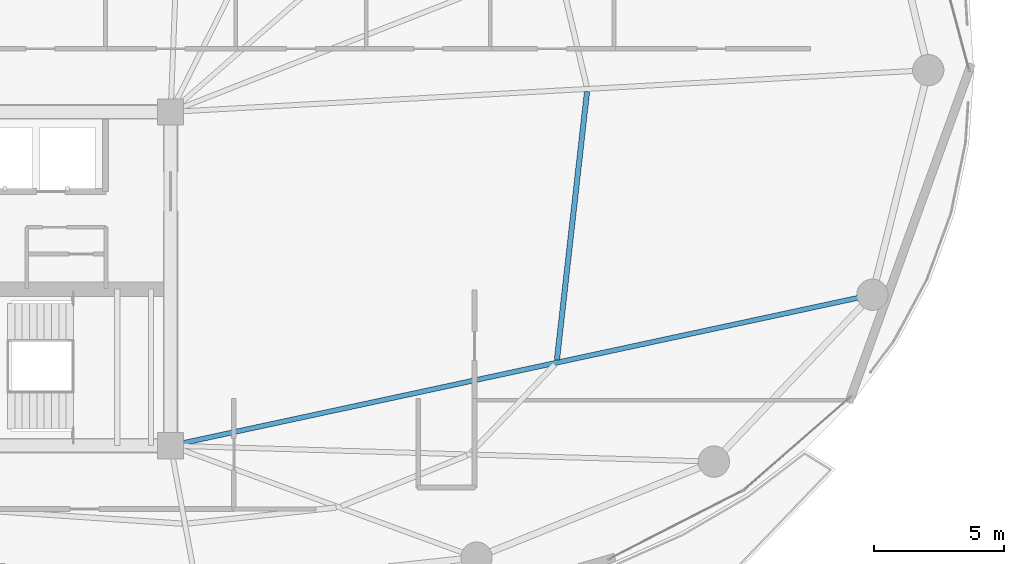
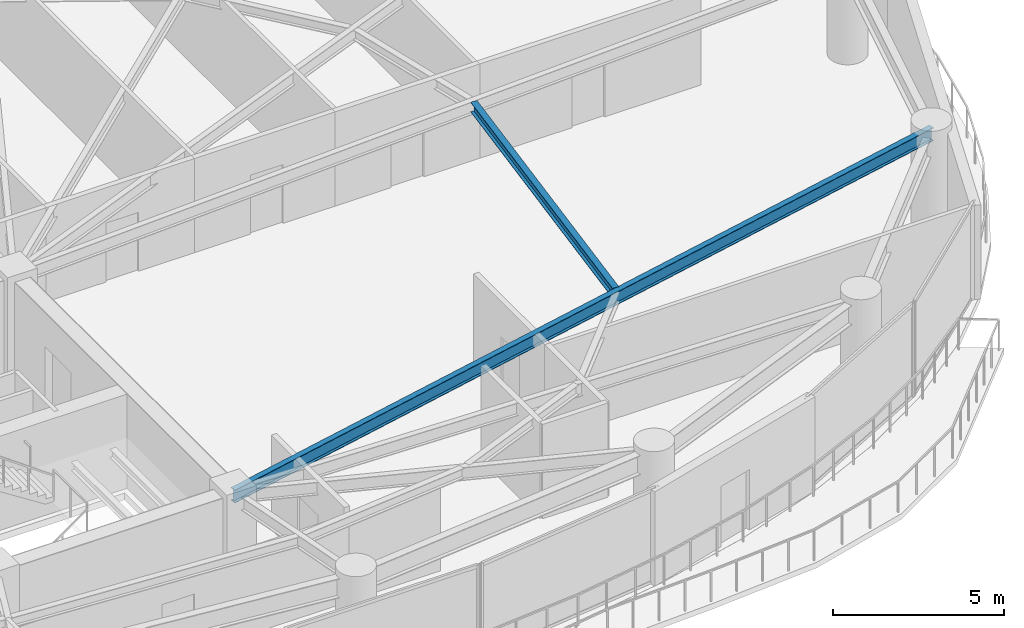
# One storey, part 12 of 28: 2 beams.
"""IFC4 building model written with IfcOpenShell, lengths in metres."""

from ifc_helpers import new_model, si_unit, direction, frame, origin, origin_2d, place, context, subcontext, project, spatial, i_section, extrude, material, material_profile, profile_set, type_object, element, save


model = new_model("IFC4")

# Units and contexts
model_context = context("Model", 3, precision=1e-05, world=origin(), true_north=direction((0.0, 1.0)))
body_context = subcontext(model_context, "Body", "Model", "MODEL_VIEW")
ifc_project = project(units=[si_unit("LENGTHUNIT", "METRE"), si_unit("AREAUNIT", "SQUARE_METRE"), si_unit("VOLUMEUNIT", "CUBIC_METRE"), si_unit("PLANEANGLEUNIT", "RADIAN"), si_unit("MASSUNIT", "GRAM", prefix="KILO")], contexts=[model_context])

# Site, building, storey
site_placement = place(None, origin())
site = spatial("IfcSite", under=ifc_project, at=site_placement, CompositionType="ELEMENT")
building_placement = place(site_placement, origin())
building = spatial("IfcBuilding", under=site, at=building_placement, Name="Kazevale Care Tower and Concert Hall", CompositionType="ELEMENT")
storey_placement = place(building_placement, frame((0.0, 0.0, 135.0)))
storey = spatial("IfcBuildingStorey", under=building, at=storey_placement, Name="L35", CompositionType="ELEMENT", Elevation=135.0)

# Beams
ifc_material = material(Name="Steel ASTM A572 Gr 50", Category="steel")
ifc_material_profile_1 = material_profile(ifc_material, i_section(OverallWidth=0.19091796875, OverallDepth=0.4599609375, WebThickness=0.010009765625, FlangeThickness=0.01611328125, at=origin_2d()), Name="W460x82")
ifc_profile_set_1 = profile_set([ifc_material_profile_1], Name="Steel ASTM A572 Gr 50")
beam_type_1 = type_object("IfcBeamType", Name="Radial Floor Beam W460x82", PredefinedType="BEAM", material=ifc_profile_set_1)
beam_1_placement = place(storey_placement, frame((44.0, 23.60009765625, 3.1298828125), z_axis=(0.97762801725, 0.210341293823, 0.0), x_axis=(-0.210341293823, 0.97762801725, 0.0)))
element("IfcBeam", 1, at=beam_1_placement, inside=storey, type_object=beam_type_1, Name="beam:L35:rad:16", PredefinedType="BEAM", context=body_context, shape_type="SweptSolid", body=[
    extrude(i_section(OverallWidth=0.19091796875, OverallDepth=0.4599609375, WebThickness=0.010009765625, FlangeThickness=0.01611328125, at=origin_2d()), origin(), (0.0, 0.0, 1.0), 27.525634765625),
])
ifc_material_profile_2 = material_profile(ifc_material, i_section(OverallWidth=0.205078125, OverallDepth=0.35400390625, WebThickness=0.009521484375, FlangeThickness=0.016845703125, at=origin_2d()), Name="W360x79")
ifc_profile_set_2 = profile_set([ifc_material_profile_2], Name="Steel ASTM A572 Gr 50")
beam_type_2 = type_object("IfcBeamType", Name="Secondary Floor Joist W360x79", PredefinedType="JOIST", material=ifc_profile_set_2)
beam_2_placement = place(storey_placement, frame((58.81201171875, 26.888916015625, 3.18310546875), z_axis=(0.111485011105, 0.993766115491, 0.0), x_axis=(-0.993766115491, 0.111485011105, 0.0)))
element("IfcBeam", 2, at=beam_2_placement, inside=storey, type_object=beam_type_2, Name="beam:L35:joist:16", PredefinedType="JOIST", context=body_context, shape_type="SweptSolid", body=[
    extrude(i_section(OverallWidth=0.205078125, OverallDepth=0.35400390625, WebThickness=0.009521484375, FlangeThickness=0.016845703125, at=origin_2d()), origin(), (0.0, 0.0, 1.0), 10.3515625),
])

save(model, "model.ifc")
